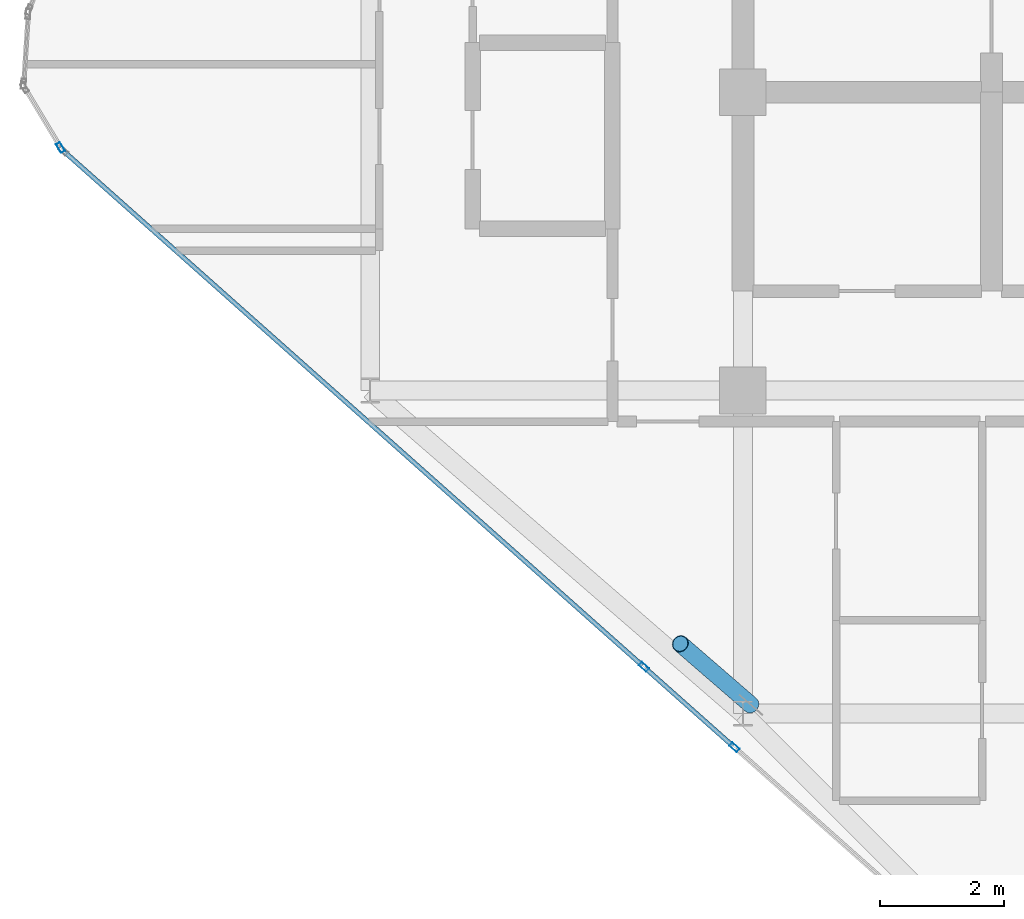
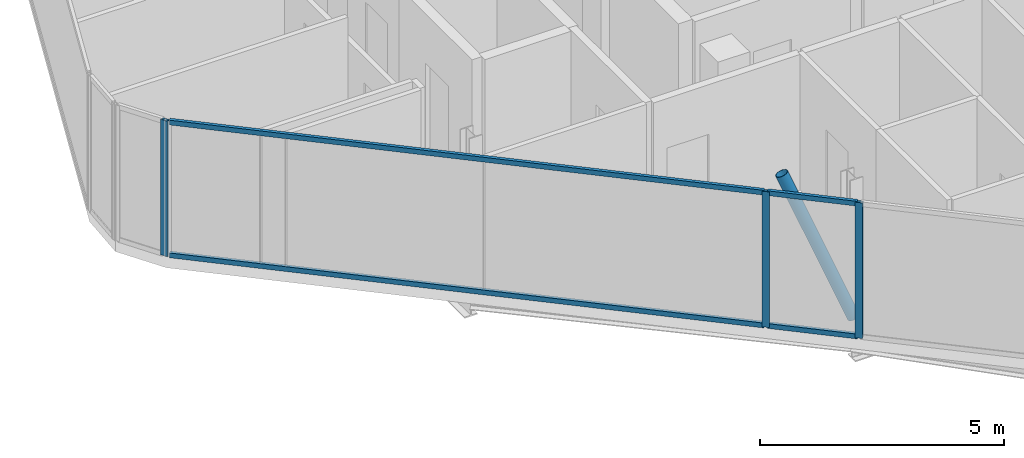
# One storey, part 3 of 27: 8 members, 4 elements without a shape of their own.
"""IFC4 building model written with IfcOpenShell, lengths in metres."""

from ifc_helpers import new_model, si_unit, direction, frame, origin, origin_2d, place, context, subcontext, project, spatial, hollow_rectangle, hollow_circle, extrude, material, layer, layer_set, material_profile, profile_set, type_object, element, aggregate, save


model = new_model("IFC4")

# Units and contexts
model_context = context("Model", 3, precision=1e-05, world=origin(), true_north=direction((0.0, 1.0)))
body_context = subcontext(model_context, "Body", "Model", "MODEL_VIEW")
ifc_project = project(units=[si_unit("LENGTHUNIT", "METRE"), si_unit("AREAUNIT", "SQUARE_METRE"), si_unit("VOLUMEUNIT", "CUBIC_METRE"), si_unit("PLANEANGLEUNIT", "RADIAN"), si_unit("MASSUNIT", "GRAM", prefix="KILO")], contexts=[model_context])

# Site, building, storey
site_placement = place(None, origin())
site = spatial("IfcSite", under=ifc_project, at=site_placement, CompositionType="ELEMENT")
building_placement = place(site_placement, origin())
building = spatial("IfcBuilding", under=site, at=building_placement, Name="Keshet Zoharim Tower", CompositionType="ELEMENT")
storey_placement = place(building_placement, frame((0.0, 0.0, 247.300048828125)))
storey = spatial("IfcBuildingStorey", under=building, at=storey_placement, Name="L61", CompositionType="ELEMENT", Elevation=247.300048828125)

# Curtain wall, member
ifc_material_1 = material(Name="Aluminium 6063-T6", Category="aluminium")
ifc_layer = layer(ifc_material_1, 0.260009765625)
ifc_layer_set = layer_set([ifc_layer], Name="Aluminium 6063-T6")
curtain_wall_type = type_object("IfcCurtainWallType", Name="CW-SYS-06", PredefinedType="NOTDEFINED", material=ifc_layer_set)
curtain_wall_1_placement = place(storey_placement, origin())
curtain_wall_1 = element("IfcCurtainWall", 1, at=curtain_wall_1_placement, inside=storey, type_object=curtain_wall_type, Name="L61 Unitised Curtain Wall 01", PredefinedType="NOTDEFINED")
ifc_material_profile_1 = material_profile(ifc_material_1, hollow_rectangle(XDim=0.074951171875, YDim=0.159912109375, WallThickness=0.00390625, at=origin_2d()), Name="MUL-75x160")
ifc_profile_set_1 = profile_set([ifc_material_profile_1], Name="Aluminium 6063-T6")
member_type_1 = type_object("IfcMemberType", Name="CWM-M15", PredefinedType="MULLION", material=ifc_profile_set_1)
member_1_placement = place(storey_placement, frame((4.016845703125, 21.81005859375, 0.0), z_axis=(0.0, 0.0, 1.0), x_axis=(-0.856826433805, -0.515604947933, 0.0)))
member_1 = element("IfcMember", 2, at=member_1_placement, type_object=member_type_1, Name="CW-06 mullion 1", PredefinedType="MULLION", context=body_context, shape_type="SweptSolid", body=[
    extrude(hollow_rectangle(XDim=0.074951171875, YDim=0.159912109375, WallThickness=0.00390625, at=origin_2d()), origin(), (0.0, 0.0, 1.0), 3.389892578125),
])
aggregate(curtain_wall_1, [member_1])

curtain_wall_2_placement = place(storey_placement, origin())
curtain_wall_2 = element("IfcCurtainWall", 3, at=curtain_wall_2_placement, inside=storey, type_object=curtain_wall_type, Name="L61 Unitised Curtain Wall 16", PredefinedType="NOTDEFINED")
member_2_placement = place(storey_placement, frame((14.863037109375, 12.155029296875, 0.0), z_axis=(0.0, 0.0, 1.0), x_axis=(-0.664362180559, -0.747410792699, 0.0)))
member_2 = element("IfcMember", 4, at=member_2_placement, type_object=member_type_1, Name="CW-06 mullion 2", PredefinedType="MULLION", context=body_context, shape_type="SweptSolid", body=[
    extrude(hollow_rectangle(XDim=0.074951171875, YDim=0.159912109375, WallThickness=0.00390625, at=origin_2d()), origin(), (0.0, 0.0, 1.0), 3.389892578125),
])
aggregate(curtain_wall_2, [member_2])

# Curtain wall, members
curtain_wall_3_placement = place(storey_placement, origin())
curtain_wall_3 = element("IfcCurtainWall", 5, at=curtain_wall_3_placement, inside=storey, type_object=curtain_wall_type, Name="L61 Unitised Curtain Wall 16 Part 2", PredefinedType="NOTDEFINED")
member_3_placement = place(storey_placement, frame((13.40576171875, 13.450439453125, 0.0), z_axis=(0.0, 0.0, 1.0), x_axis=(-0.664338369143, -0.747431957629, 0.0)))
member_3 = element("IfcMember", 6, at=member_3_placement, type_object=member_type_1, Name="CW-06 mullion 2", PredefinedType="MULLION", context=body_context, shape_type="SweptSolid", body=[
    extrude(hollow_rectangle(XDim=0.074951171875, YDim=0.159912109375, WallThickness=0.00390625, at=origin_2d()), origin(), (0.0, 0.0, 1.0), 3.389892578125),
])
ifc_material_profile_2 = material_profile(ifc_material_1, hollow_rectangle(XDim=0.074951171875, YDim=0.1201171875, WallThickness=0.00390625, at=origin_2d()), Name="TRN-75x120")
ifc_profile_set_2 = profile_set([ifc_material_profile_2], Name="Aluminium 6063-T6")
member_type_2 = type_object("IfcMemberType", Name="CWT-T12", PredefinedType="USERDEFINED", material=ifc_profile_set_2)
member_4_placement = place(storey_placement, frame((14.8369140625, 12.178466796875, 0.034912109375), z_axis=(-0.747452318941, 0.664315460387, 0.0), x_axis=(-0.664315460387, -0.747452318941, 0.0)))
member_4 = element("IfcMember", 7, at=member_4_placement, type_object=member_type_2, Name="CW-06 transom 1.1", ObjectType="TRANSOM", PredefinedType="USERDEFINED", context=body_context, shape_type="SweptSolid", body=[
    extrude(hollow_rectangle(XDim=0.074951171875, YDim=0.1201171875, WallThickness=0.00390625, at=origin_2d()), origin(), (0.0, 0.0, 1.0), 1.87939453125),
])
member_5_placement = place(storey_placement, frame((14.8369140625, 12.178466796875, 3.35498046875), z_axis=(-0.747452318941, 0.664315460387, 0.0), x_axis=(-0.664315460387, -0.747452318941, 0.0)))
member_5 = element("IfcMember", 8, at=member_5_placement, type_object=member_type_2, Name="CW-06 transom 1.2", ObjectType="TRANSOM", PredefinedType="USERDEFINED", context=body_context, shape_type="SweptSolid", body=[
    extrude(hollow_rectangle(XDim=0.074951171875, YDim=0.1201171875, WallThickness=0.00390625, at=origin_2d()), origin(), (0.0, 0.0, 1.0), 1.87939453125),
])
aggregate(curtain_wall_3, [member_3, member_4, member_5])

curtain_wall_4_placement = place(storey_placement, origin())
curtain_wall_4 = element("IfcCurtainWall", 9, at=curtain_wall_4_placement, inside=storey, type_object=curtain_wall_type, Name="L61 Unitised Curtain Wall 16 Part 3", PredefinedType="NOTDEFINED")
member_6_placement = place(storey_placement, frame((13.379638671875, 13.4736328125, 0.034912109375), z_axis=(-0.747409318684, 0.66436383883, 0.0), x_axis=(-0.66436383883, -0.747409318684, 0.0)))
member_6 = element("IfcMember", 10, at=member_6_placement, type_object=member_type_2, Name="CW-06 transom 1.1", ObjectType="TRANSOM", PredefinedType="USERDEFINED", context=body_context, shape_type="SweptSolid", body=[
    extrude(hollow_rectangle(XDim=0.074951171875, YDim=0.1201171875, WallThickness=0.00390625, at=origin_2d()), origin(), (0.0, 0.0, 1.0), 12.4326171875),
])
member_7_placement = place(storey_placement, frame((13.379638671875, 13.4736328125, 3.35498046875), z_axis=(-0.747409318684, 0.66436383883, 0.0), x_axis=(-0.66436383883, -0.747409318684, 0.0)))
member_7 = element("IfcMember", 11, at=member_7_placement, type_object=member_type_2, Name="CW-06 transom 1.2", ObjectType="TRANSOM", PredefinedType="USERDEFINED", context=body_context, shape_type="SweptSolid", body=[
    extrude(hollow_rectangle(XDim=0.074951171875, YDim=0.1201171875, WallThickness=0.00390625, at=origin_2d()), origin(), (0.0, 0.0, 1.0), 12.4326171875),
])
aggregate(curtain_wall_4, [member_6, member_7])

# Member
ifc_material_2 = material(Name="Steel S355", Category="steel")
ifc_material_profile_3 = material_profile(ifc_material_2, hollow_circle(Radius=0.136474609375, WallThickness=0.010009765625, at=origin_2d()), Name="CHS273x10")
ifc_profile_set_3 = profile_set([ifc_material_profile_3], Name="Steel S355")
member_type_3 = type_object("IfcMemberType", Name="MB-BR-C273", PredefinedType="BRACE", material=ifc_profile_set_3)
member_8_placement = place(storey_placement, frame((15.1259765625, 12.842041015625, 0.0), z_axis=(-0.305919508672, 0.264888754334, 0.914465528077), x_axis=(-0.654589683411, -0.755984355904, 0.0)))
element("IfcMember", 12, at=member_8_placement, inside=storey, type_object=member_type_3, Name="L61 Perimeter Tube Brace 01", PredefinedType="BRACE", context=body_context, shape_type="SweptSolid", body=[
    extrude(hollow_circle(Radius=0.136474609375, WallThickness=0.010009765625, at=origin_2d()), origin(), (0.0, 0.0, 1.0), 3.70703125),
])

save(model, "model.ifc")
